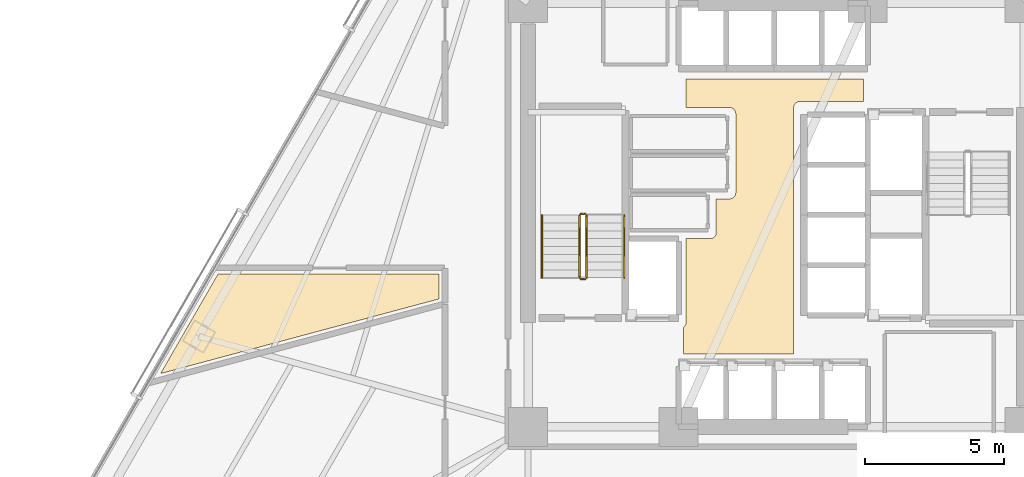
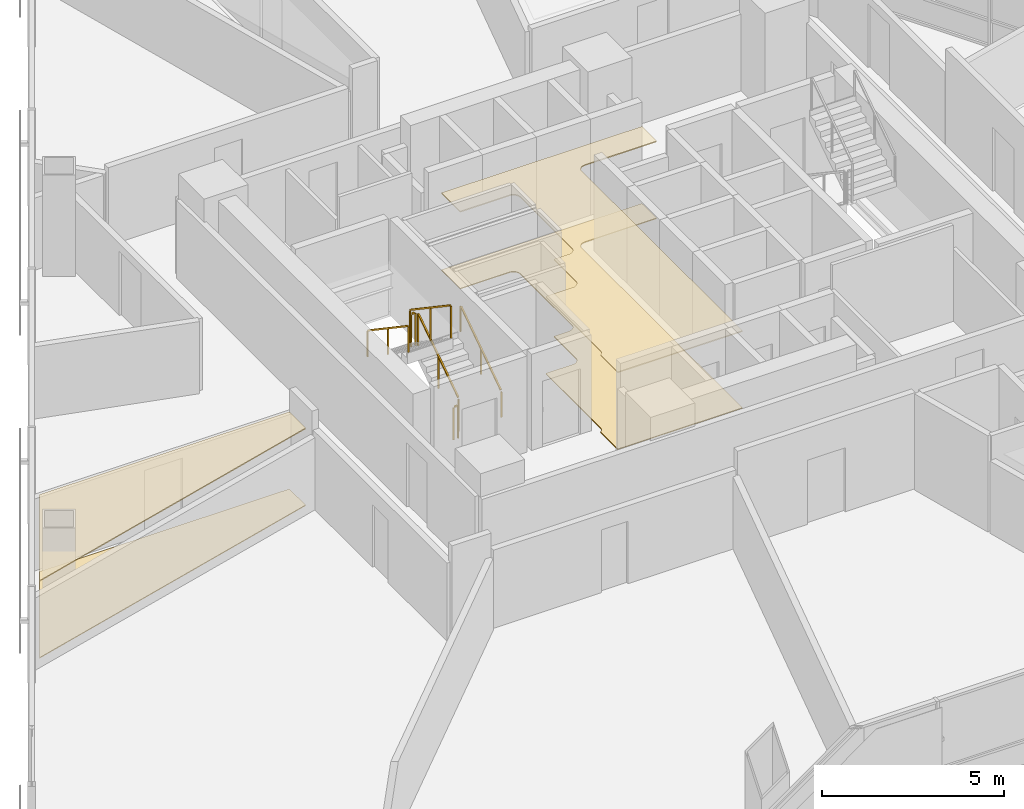
# One storey, part 13 of 16: 6 railings, 4 coverings.
"""IFC4 building model written with IfcOpenShell, lengths in metres."""

from ifc_helpers import new_model, si_unit, direction, frame, origin, origin_2d, place, context, subcontext, project, spatial, polyline, rectangle, outline, extrude, material, layer, layer_set, type_object, element, save


model = new_model("IFC4")

# Units and contexts
model_context = context("Model", 3, precision=1e-05, world=origin(), true_north=direction((0.0, 1.0)))
body_context = subcontext(model_context, "Body", "Model", "MODEL_VIEW")
ifc_project = project(units=[si_unit("LENGTHUNIT", "METRE"), si_unit("AREAUNIT", "SQUARE_METRE"), si_unit("VOLUMEUNIT", "CUBIC_METRE"), si_unit("PLANEANGLEUNIT", "RADIAN"), si_unit("MASSUNIT", "GRAM", prefix="KILO")], contexts=[model_context])

# Site, building, storey
site_placement = place(None, origin())
site = spatial("IfcSite", under=ifc_project, at=site_placement, CompositionType="ELEMENT")
building_placement = place(site_placement, origin())
building = spatial("IfcBuilding", under=site, at=building_placement, Name="Tharavind Bronze Gate", CompositionType="ELEMENT")
storey_placement = place(building_placement, frame((0.0, 0.0, 48.85009765625)))
storey = spatial("IfcBuildingStorey", under=building, at=storey_placement, Name="L11", CompositionType="ELEMENT", Elevation=48.85009765625)

# Coverings
ifc_material_1 = material(Name="Perforated Bronze Acoustic Panel", Category="bronze")
ifc_layer_1 = layer(ifc_material_1, 0.044921875)
ifc_layer_set_1 = layer_set([ifc_layer_1], Name="Perforated Bronze Acoustic Panel")
covering_type_1 = type_object("IfcCoveringType", Name="ACOUSTIC BRONZE BAFFLE CEILING", PredefinedType="CEILING", material=ifc_layer_set_1)
covering_1_placement = place(storey_placement, frame((0.0, 0.0, 2.574951171875)))
element("IfcCovering", 1, at=covering_1_placement, inside=storey, type_object=covering_type_1, Name="L11-C-LL suspended ceiling", PredefinedType="CEILING", context=body_context, shape_type="SweptSolid", body=[
    extrude(outline(polyline([(-3.330078125, -4.97998046875), (0.6298828125, -4.97998046875), (0.6298828125, 3.85009765625), (0.631103515625, 3.87158203125), (0.63427734375, 3.892822265625), (0.639404296875, 3.913818359375), (0.646728515625, 3.93408203125), (0.656005859375, 3.95361328125), (0.6669921875, 3.97216796875), (0.679931640625, 3.989501953125), (0.6943359375, 4.005615234375), (0.71044921875, 4.02001953125), (0.727783203125, 4.032958984375), (0.746337890625, 4.0439453125), (0.765869140625, 4.05322265625), (0.7861328125, 4.060546875), (0.80712890625, 4.06591796875), (0.828369140625, 4.06884765625), (0.85009765625, 4.070068359375), (3.1298828125, 4.070068359375), (3.1298828125, 4.8798828125), (-3.22998046875, 4.8798828125), (-3.22998046875, 3.85009765625), (-1.669921875, 3.85009765625), (-1.6484375, 3.848876953125), (-1.627197265625, 3.845703125), (-1.606201171875, 3.840576171875), (-1.585693359375, 3.833251953125), (-1.56640625, 3.823974609375), (-1.5478515625, 3.81298828125), (-1.530517578125, 3.800048828125), (-1.514404296875, 3.78564453125), (-1.5, 3.76953125), (-1.487060546875, 3.752197265625), (-1.47607421875, 3.733642578125), (-1.466796875, 3.714111328125), (-1.45947265625, 3.69384765625), (-1.4541015625, 3.6728515625), (-1.451171875, 3.651611328125), (-1.449951171875, 3.6298828125), (-1.449951171875, 0.800048828125), (-1.451171875, 0.7783203125), (-1.4541015625, 0.757080078125), (-1.45947265625, 0.736083984375), (-1.466796875, 0.7158203125), (-1.47607421875, 0.6962890625), (-1.487060546875, 0.677734375), (-1.5, 0.660400390625), (-1.514404296875, 0.644287109375), (-1.530517578125, 0.6298828125), (-1.5478515625, 0.6171875), (-1.56640625, 0.60595703125), (-1.585693359375, 0.5966796875), (-1.606201171875, 0.589599609375), (-1.627197265625, 0.584228515625), (-1.6484375, 0.5810546875), (-1.669921875, 0.580078125), (-2.14990234375, 0.580078125), (-2.14990234375, -0.6298828125), (-2.151123046875, -0.651611328125), (-2.154296875, -0.6728515625), (-2.159423828125, -0.69384765625), (-2.166748046875, -0.714111328125), (-2.176025390625, -0.733642578125), (-2.18701171875, -0.752197265625), (-2.199951171875, -0.76953125), (-2.21435546875, -0.78564453125), (-2.23046875, -0.800048828125), (-2.247802734375, -0.81298828125), (-2.266357421875, -0.823974609375), (-2.285888671875, -0.833251953125), (-2.30615234375, -0.840576171875), (-2.3271484375, -0.845703125), (-2.348388671875, -0.848876953125), (-2.3701171875, -0.85009765625), (-3.22998046875, -0.85009765625), (-3.22998046875, -3.85009765625), (-3.231201171875, -3.87158203125), (-3.234130859375, -3.892822265625), (-3.239501953125, -3.913818359375), (-3.24658203125, -3.93408203125), (-3.256103515625, -3.95361328125), (-3.26708984375, -3.97216796875), (-3.27978515625, -3.989501953125), (-3.29443359375, -4.005615234375), (-3.310302734375, -4.02001953125), (-3.327880859375, -4.032958984375), (-3.330078125, -4.0341796875), (-3.330078125, -4.97998046875)])), origin(), (0.0, 0.0, 1.0), 0.034912109375),
])
covering_2_placement = place(storey_placement, frame((0.0, 0.0, 2.574951171875)))
element("IfcCovering", 2, at=covering_2_placement, inside=storey, type_object=covering_type_1, Name="L11-RM-06 suspended ceiling", PredefinedType="CEILING", context=body_context, shape_type="SweptSolid", body=[
    extrude(outline(polyline([(-12.10009765625, -3.014404296875), (-12.10009765625, -2.1201171875), (-20.0224609375, -2.1201171875), (-22.08349609375, -5.689453125), (-12.10009765625, -3.014404296875)])), origin(), (0.0, 0.0, 1.0), 0.034912109375),
])
ifc_material_2 = material(Name="Honed Travertine Limestone", Category="masonry")
ifc_layer_2 = layer(ifc_material_2, 0.030029296875)
ifc_layer_set_2 = layer_set([ifc_layer_2], Name="Honed Travertine Limestone")
covering_type_2 = type_object("IfcCoveringType", Name="HONED LIMESTONE FLOORING", PredefinedType="FLOORING", material=ifc_layer_set_2)
covering_3_placement = place(storey_placement, origin())
element("IfcCovering", 3, at=covering_3_placement, inside=storey, type_object=covering_type_2, Name="L11-C-LL floor finish", PredefinedType="FLOORING", context=body_context, shape_type="SweptSolid", body=[
    extrude(outline(polyline([(-3.330078125, -4.97998046875), (0.6298828125, -4.97998046875), (0.6298828125, 3.85009765625), (0.631103515625, 3.87158203125), (0.63427734375, 3.892822265625), (0.639404296875, 3.913818359375), (0.646728515625, 3.93408203125), (0.656005859375, 3.95361328125), (0.6669921875, 3.97216796875), (0.679931640625, 3.989501953125), (0.6943359375, 4.005615234375), (0.71044921875, 4.02001953125), (0.727783203125, 4.032958984375), (0.746337890625, 4.0439453125), (0.765869140625, 4.05322265625), (0.7861328125, 4.060546875), (0.80712890625, 4.06591796875), (0.828369140625, 4.06884765625), (0.85009765625, 4.070068359375), (3.1298828125, 4.070068359375), (3.1298828125, 4.8798828125), (-3.22998046875, 4.8798828125), (-3.22998046875, 3.85009765625), (-1.669921875, 3.85009765625), (-1.6484375, 3.848876953125), (-1.627197265625, 3.845703125), (-1.606201171875, 3.840576171875), (-1.585693359375, 3.833251953125), (-1.56640625, 3.823974609375), (-1.5478515625, 3.81298828125), (-1.530517578125, 3.800048828125), (-1.514404296875, 3.78564453125), (-1.5, 3.76953125), (-1.487060546875, 3.752197265625), (-1.47607421875, 3.733642578125), (-1.466796875, 3.714111328125), (-1.45947265625, 3.69384765625), (-1.4541015625, 3.6728515625), (-1.451171875, 3.651611328125), (-1.449951171875, 3.6298828125), (-1.449951171875, 0.800048828125), (-1.451171875, 0.7783203125), (-1.4541015625, 0.757080078125), (-1.45947265625, 0.736083984375), (-1.466796875, 0.7158203125), (-1.47607421875, 0.6962890625), (-1.487060546875, 0.677734375), (-1.5, 0.660400390625), (-1.514404296875, 0.644287109375), (-1.530517578125, 0.6298828125), (-1.5478515625, 0.6171875), (-1.56640625, 0.60595703125), (-1.585693359375, 0.5966796875), (-1.606201171875, 0.589599609375), (-1.627197265625, 0.584228515625), (-1.6484375, 0.5810546875), (-1.669921875, 0.580078125), (-2.14990234375, 0.580078125), (-2.14990234375, -0.6298828125), (-2.151123046875, -0.651611328125), (-2.154296875, -0.6728515625), (-2.159423828125, -0.69384765625), (-2.166748046875, -0.714111328125), (-2.176025390625, -0.733642578125), (-2.18701171875, -0.752197265625), (-2.199951171875, -0.76953125), (-2.21435546875, -0.78564453125), (-2.23046875, -0.800048828125), (-2.247802734375, -0.81298828125), (-2.266357421875, -0.823974609375), (-2.285888671875, -0.833251953125), (-2.30615234375, -0.840576171875), (-2.3271484375, -0.845703125), (-2.348388671875, -0.848876953125), (-2.3701171875, -0.85009765625), (-3.22998046875, -0.85009765625), (-3.22998046875, -3.85009765625), (-3.231201171875, -3.87158203125), (-3.234130859375, -3.892822265625), (-3.239501953125, -3.913818359375), (-3.24658203125, -3.93408203125), (-3.256103515625, -3.95361328125), (-3.26708984375, -3.97216796875), (-3.27978515625, -3.989501953125), (-3.29443359375, -4.005615234375), (-3.310302734375, -4.02001953125), (-3.327880859375, -4.032958984375), (-3.330078125, -4.0341796875), (-3.330078125, -4.97998046875)])), origin(), (0.0, 0.0, 1.0), 0.02490234375),
])
covering_4_placement = place(storey_placement, origin())
element("IfcCovering", 4, at=covering_4_placement, inside=storey, type_object=covering_type_2, Name="L11-RM-06 floor finish", PredefinedType="FLOORING", context=body_context, shape_type="SweptSolid", body=[
    extrude(outline(polyline([(-12.10009765625, -3.014404296875), (-12.10009765625, -2.1201171875), (-20.0224609375, -2.1201171875), (-22.08349609375, -5.689453125), (-12.10009765625, -3.014404296875)])), origin(), (0.0, 0.0, 1.0), 0.02490234375),
])

# Railings
ifc_material_3 = material(Name="Brushed Bronze Alloy", Category="metal")
railing_type_1 = type_object("IfcRailingType", Name="STAIR BRONZE HANDRAIL 900", PredefinedType="HANDRAIL", material=ifc_material_3)
railing_1_placement = place(storey_placement, frame((-5.449951171875, -2.25, 0.188720703125)))
element("IfcRailing", 5, at=railing_1_placement, inside=storey, type_object=railing_type_1, Name="L11 ST1 stair handrail 1", PredefinedType="HANDRAIL", context=body_context, shape_type="SweptSolid", body=[
    extrude(rectangle(XDim=0.048095703125, YDim=0.048095703125, at=origin_2d()), frame((0.0, 0.026611328125, 0.893798828125), z_axis=(0.0, 0.828979582247, 0.559278868023), x_axis=(-1.0, 0.0, 0.0)), (0.0, 0.0, 1.0), 2.63818359375),
    extrude(rectangle(XDim=0.0400390625, YDim=0.0400390625, at=origin_2d()), origin(), (0.0, 0.0, 1.0), 0.847900390625),
    extrude(rectangle(XDim=0.0400390625, YDim=0.0400390625, at=origin_2d()), frame((0.0, 1.1201171875, 0.755615234375)), (0.0, 0.0, 1.0), 0.847900390625),
    extrude(rectangle(XDim=0.0400390625, YDim=0.0400390625, at=origin_2d()), frame((0.0, 2.239990234375, 1.51123046875)), (0.0, 0.0, 1.0), 0.847900390625),
])
railing_2_placement = place(storey_placement, frame((-8.39990234375, -0.010009765625, 1.888671875)))
element("IfcRailing", 6, at=railing_2_placement, inside=storey, type_object=railing_type_1, Name="L11 ST1 stair handrail 2", PredefinedType="HANDRAIL", context=body_context, shape_type="SweptSolid", body=[
    extrude(rectangle(XDim=0.048095703125, YDim=0.048095703125, at=origin_2d()), frame((0.0, -0.026611328125, 0.893798828125), z_axis=(0.0, -0.828979582247, 0.559278868023), x_axis=(1.0, 0.0, 0.0)), (0.0, 0.0, 1.0), 2.63818359375),
    extrude(rectangle(XDim=0.0400390625, YDim=0.0400390625, at=origin_2d()), origin(), (0.0, 0.0, 1.0), 0.847900390625),
    extrude(rectangle(XDim=0.0400390625, YDim=0.0400390625, at=origin_2d()), frame((0.0, -1.1201171875, 0.755615234375)), (0.0, 0.0, 1.0), 0.847900390625),
    extrude(rectangle(XDim=0.0400390625, YDim=0.0400390625, at=origin_2d()), frame((0.0, -2.239990234375, 1.51123046875)), (0.0, 0.0, 1.0), 0.847900390625),
])
railing_type_2 = type_object("IfcRailingType", Name="STAIR WELL GUARD RAILING 1120", PredefinedType="GUARDRAIL", material=ifc_material_3)
railing_3_placement = place(storey_placement, frame((-6.800048828125, -2.25, 0.188720703125)))
element("IfcRailing", 7, at=railing_3_placement, inside=storey, type_object=railing_type_2, Name="L11 ST1 stair guard 1", PredefinedType="GUARDRAIL", context=body_context, shape_type="SweptSolid", body=[
    extrude(rectangle(XDim=0.048095703125, YDim=0.048095703125, at=origin_2d()), frame((0.0, 0.026611328125, 1.114013671875), z_axis=(0.0, 0.828979582247, 0.559278868023), x_axis=(-1.0, 0.0, 0.0)), (0.0, 0.0, 1.0), 2.63818359375),
    extrude(rectangle(XDim=0.0400390625, YDim=0.0400390625, at=origin_2d()), origin(), (0.0, 0.0, 1.0), 1.068115234375),
    extrude(rectangle(XDim=0.0400390625, YDim=0.0400390625, at=origin_2d()), frame((0.0, 1.1201171875, 0.755615234375)), (0.0, 0.0, 1.0), 1.068115234375),
    extrude(rectangle(XDim=0.0400390625, YDim=0.0400390625, at=origin_2d()), frame((0.0, 2.239990234375, 1.51123046875)), (0.0, 0.0, 1.0), 1.068115234375),
])
railing_4_placement = place(storey_placement, frame((-6.85009765625, 0.0400390625, 1.699951171875)))
element("IfcRailing", 8, at=railing_4_placement, inside=storey, type_object=railing_type_2, Name="L11 ST1 stair guard 2", PredefinedType="GUARDRAIL", context=body_context, shape_type="SweptSolid", body=[
    extrude(rectangle(XDim=0.048095703125, YDim=0.048095703125, at=origin_2d()), frame((-0.031982421875, 0.0, 1.09619140625), z_axis=(-1.0, 0.0, 0.0), x_axis=(0.0, -1.0, 0.0)), (0.0, 0.0, 1.0), 0.0859375),
    extrude(rectangle(XDim=0.0400390625, YDim=0.0400390625, at=origin_2d()), origin(), (0.0, 0.0, 1.0), 1.068115234375),
    extrude(rectangle(XDim=0.0400390625, YDim=0.0400390625, at=origin_2d()), frame((-0.14990234375, 0.0, 0.0)), (0.0, 0.0, 1.0), 1.068115234375),
])
railing_5_placement = place(storey_placement, frame((-7.050048828125, -0.010009765625, 1.888671875)))
element("IfcRailing", 9, at=railing_5_placement, inside=storey, type_object=railing_type_2, Name="L11 ST1 stair guard 3", PredefinedType="GUARDRAIL", context=body_context, shape_type="SweptSolid", body=[
    extrude(rectangle(XDim=0.048095703125, YDim=0.048095703125, at=origin_2d()), frame((0.0, -0.026611328125, 1.114013671875), z_axis=(0.0, -0.828979582247, 0.559278868023), x_axis=(1.0, 0.0, 0.0)), (0.0, 0.0, 1.0), 2.63818359375),
    extrude(rectangle(XDim=0.0400390625, YDim=0.0400390625, at=origin_2d()), origin(), (0.0, 0.0, 1.0), 1.068115234375),
    extrude(rectangle(XDim=0.0400390625, YDim=0.0400390625, at=origin_2d()), frame((0.0, -1.1201171875, 0.755615234375)), (0.0, 0.0, 1.0), 1.068115234375),
    extrude(rectangle(XDim=0.0400390625, YDim=0.0400390625, at=origin_2d()), frame((0.0, -2.239990234375, 1.51123046875)), (0.0, 0.0, 1.0), 1.068115234375),
])
railing_6_placement = place(storey_placement, frame((-6.85009765625, -2.300048828125, 0.0)))
element("IfcRailing", 10, at=railing_6_placement, inside=storey, type_object=railing_type_2, Name="L11 ST1 stair guard 4", PredefinedType="GUARDRAIL", context=body_context, shape_type="SweptSolid", body=[
    extrude(rectangle(XDim=0.048095703125, YDim=0.048095703125, at=origin_2d()), frame((-0.031982421875, 0.0, 1.09619140625), z_axis=(-1.0, 0.0, 0.0), x_axis=(0.0, -1.0, 0.0)), (0.0, 0.0, 1.0), 0.0859375),
    extrude(rectangle(XDim=0.0400390625, YDim=0.0400390625, at=origin_2d()), origin(), (0.0, 0.0, 1.0), 1.068115234375),
    extrude(rectangle(XDim=0.0400390625, YDim=0.0400390625, at=origin_2d()), frame((-0.14990234375, 0.0, 0.0)), (0.0, 0.0, 1.0), 1.068115234375),
])

save(model, "model.ifc")
